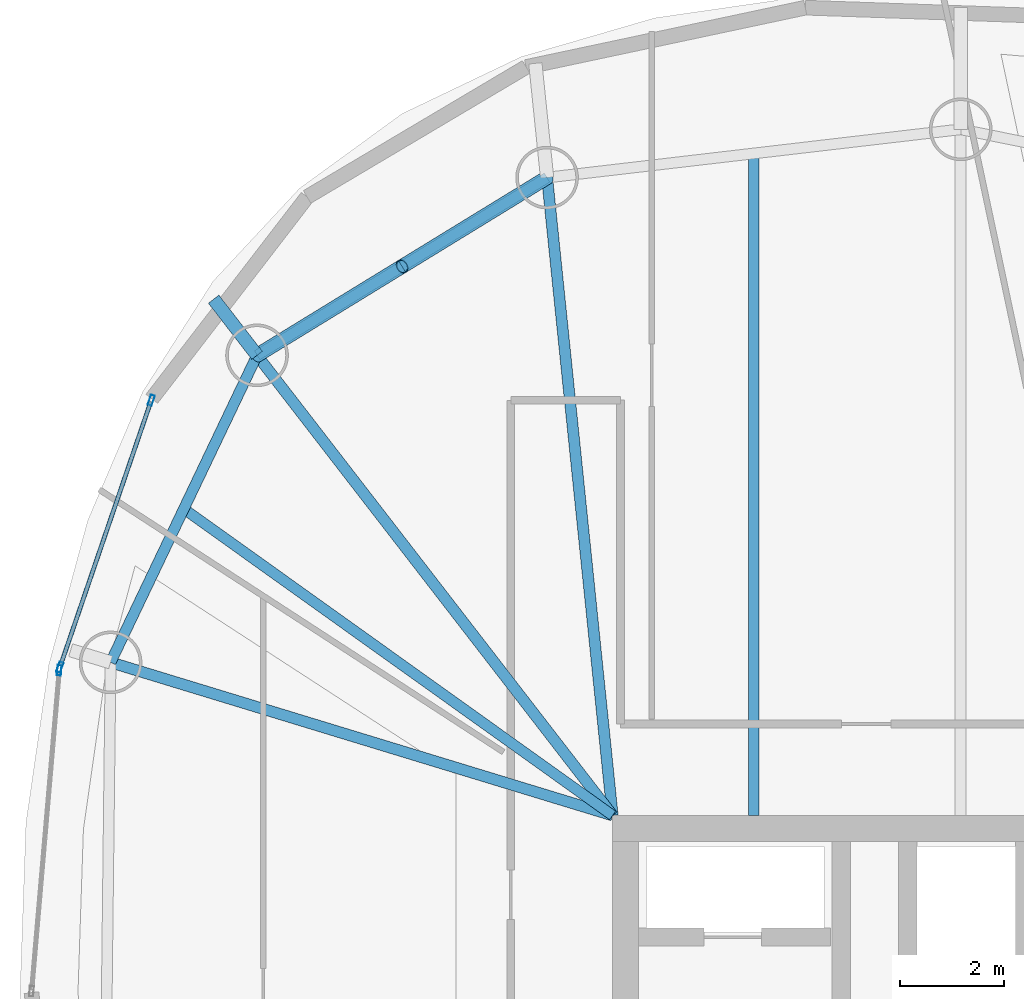
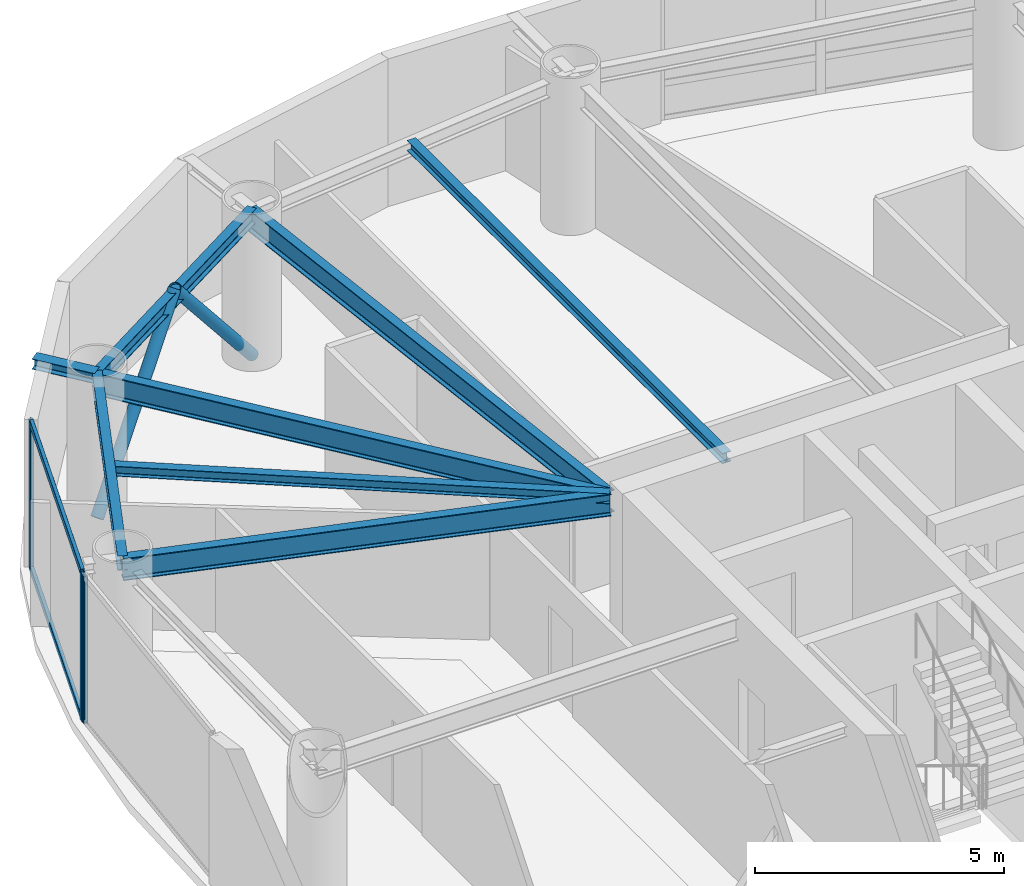
# One storey, part 11 of 22: 8 beams, 7 members, 2 elements without a shape of their own.
"""IFC4 building model written with IfcOpenShell, lengths in metres."""

from ifc_helpers import new_model, si_unit, direction, frame, origin, origin_2d, place, context, subcontext, project, spatial, hollow_rectangle, hollow_circle, i_section, extrude, material, layer, layer_set, material_profile, profile_set, type_object, element, aggregate, save


model = new_model("IFC4")

# Units and contexts
model_context = context("Model", 3, precision=1e-05, world=origin(), true_north=direction((0.0, 1.0)))
body_context = subcontext(model_context, "Body", "Model", "MODEL_VIEW")
ifc_project = project(units=[si_unit("LENGTHUNIT", "METRE"), si_unit("AREAUNIT", "SQUARE_METRE"), si_unit("VOLUMEUNIT", "CUBIC_METRE"), si_unit("PLANEANGLEUNIT", "RADIAN"), si_unit("MASSUNIT", "GRAM", prefix="KILO")], contexts=[model_context])

# Site, building, storey
site_placement = place(None, origin())
site = spatial("IfcSite", under=ifc_project, at=site_placement, CompositionType="ELEMENT")
building_placement = place(site_placement, origin())
building = spatial("IfcBuilding", under=site, at=building_placement, Name="Bramvorn Convention Spire", CompositionType="ELEMENT")
storey_placement = place(building_placement, frame((0.0, 0.0, 225.10009765625)))
storey = spatial("IfcBuildingStorey", under=building, at=storey_placement, Name="L57", CompositionType="ELEMENT", Elevation=225.10009765625)

# Beams
ifc_material_1 = material(Name="Steel CSA G40.21 Grade 350 (350W)", Category="steel")
ifc_material_profile_1 = material_profile(ifc_material_1, i_section(OverallWidth=0.201904296875, OverallDepth=0.2470703125, WebThickness=0.00732421875, FlangeThickness=0.010986328125, FilletRadius=0.011962890625, at=origin_2d()))
ifc_profile_set_1 = profile_set([ifc_material_profile_1], Name="Steel CSA G40.21 Grade 350 (350W) - W250X49")
beam_type_1 = type_object("IfcBeamType", Name="BM-W250X49", PredefinedType="JOIST", material=ifc_profile_set_1)
beam_1_placement = place(storey_placement, frame((29.455810546875, 33.449951171875, 3.496337890625), z_axis=(0.0, 1.0, 0.0), x_axis=(-1.0, 0.0, 0.0)))
element("IfcBeam", 1, at=beam_1_placement, inside=storey, type_object=beam_type_1, Name="L57 composite floor joist 07", PredefinedType="JOIST", context=body_context, shape_type="SweptSolid", body=[
    extrude(i_section(OverallWidth=0.201904296875, OverallDepth=0.2470703125, WebThickness=0.00732421875, FlangeThickness=0.010986328125, FilletRadius=0.011962890625, at=origin_2d()), origin(), (0.0, 0.0, 1.0), 12.676025390625),
])
beam_2_placement = place(storey_placement, frame((26.75, 33.449951171875, 3.496337890625), z_axis=(-0.813471895271, 0.581604225916, 0.0), x_axis=(-0.581604225916, -0.813471895271, 0.0)))
element("IfcBeam", 2, at=beam_2_placement, inside=storey, type_object=beam_type_1, Name="L57 composite floor joist 09", PredefinedType="JOIST", context=body_context, shape_type="SweptSolid", body=[
    extrude(i_section(OverallWidth=0.201904296875, OverallDepth=0.2470703125, WebThickness=0.00732421875, FlangeThickness=0.010986328125, FilletRadius=0.011962890625, at=origin_2d()), origin(), (0.0, 0.0, 1.0), 10.093505859375),
])
ifc_material_profile_2 = material_profile(ifc_material_1, i_section(OverallWidth=0.25390625, OverallDepth=0.2529296875, WebThickness=0.008544921875, FlangeThickness=0.01416015625, FilletRadius=0.011962890625, at=origin_2d()))
ifc_profile_set_2 = profile_set([ifc_material_profile_2], Name="Steel CSA G40.21 Grade 350 (350W) - W250X73")
beam_type_2 = type_object("IfcBeamType", Name="BM-W250X73", PredefinedType="BEAM", material=ifc_profile_set_2)
beam_3_placement = place(storey_placement, frame((19.941650390625, 42.260009765625, 3.493408203125), z_axis=(-0.61154975824, 0.791205973939, 0.0), x_axis=(-0.791205973939, -0.61154975824, 0.0)))
element("IfcBeam", 3, at=beam_3_placement, inside=storey, type_object=beam_type_2, Name="L57 slab-edge cantilever tip beam MC09", PredefinedType="BEAM", context=body_context, shape_type="SweptSolid", body=[
    extrude(i_section(OverallWidth=0.25390625, OverallDepth=0.2529296875, WebThickness=0.008544921875, FlangeThickness=0.01416015625, FilletRadius=0.011962890625, at=origin_2d()), origin(), (0.0, 0.0, 1.0), 1.35888671875),
])
ifc_material_profile_3 = material_profile(ifc_material_1, i_section(OverallWidth=0.205078125, OverallDepth=0.35400390625, WebThickness=0.009521484375, FlangeThickness=0.016845703125, FilletRadius=0.014892578125, at=origin_2d()))
ifc_profile_set_3 = profile_set([ifc_material_profile_3], Name="Steel CSA G40.21 Grade 350 (350W) - W360X79")
beam_type_3 = type_object("IfcBeamType", Name="BM-W360X79", PredefinedType="JOIST", material=ifc_profile_set_3)
beam_4_placement = place(storey_placement, frame((25.49560546875, 45.663818359375, 3.44287109375), z_axis=(-0.852616873135, -0.522536570629, 0.0), x_axis=(0.522536570629, -0.852616873135, 0.0)))
element("IfcBeam", 4, at=beam_4_placement, inside=storey, type_object=beam_type_3, Name="L57 mega-column ring beam 08", PredefinedType="JOIST", context=body_context, shape_type="SweptSolid", body=[
    extrude(i_section(OverallWidth=0.205078125, OverallDepth=0.35400390625, WebThickness=0.009521484375, FlangeThickness=0.016845703125, FilletRadius=0.014892578125, at=origin_2d()), origin(), (0.0, 0.0, 1.0), 6.513916015625),
])
beam_5_placement = place(storey_placement, frame((19.941650390625, 42.260009765625, 3.44287109375), z_axis=(-0.430556138422, -0.902563799223, 0.0), x_axis=(0.902563799223, -0.430556138422, 0.0)))
element("IfcBeam", 5, at=beam_5_placement, inside=storey, type_object=beam_type_3, Name="L57 mega-column ring beam 09", PredefinedType="JOIST", context=body_context, shape_type="SweptSolid", body=[
    extrude(i_section(OverallWidth=0.205078125, OverallDepth=0.35400390625, WebThickness=0.009521484375, FlangeThickness=0.016845703125, FilletRadius=0.014892578125, at=origin_2d()), origin(), (0.0, 0.0, 1.0), 6.51416015625),
])
ifc_material_profile_4 = material_profile(ifc_material_1, i_section(OverallWidth=0.2119140625, OverallDepth=0.5439453125, WebThickness=0.01318359375, FlangeThickness=0.021240234375, FilletRadius=0.01904296875, at=origin_2d()))
ifc_profile_set_4 = profile_set([ifc_material_profile_4], Name="Steel CSA G40.21 Grade 350 (350W) - W530X123")
beam_type_4 = type_object("IfcBeamType", Name="BM-W530X123", PredefinedType="BEAM", material=ifc_profile_set_4)
beam_6_placement = place(storey_placement, frame((26.75, 33.449951171875, 3.347900390625), z_axis=(-0.10216509146, 0.994767457292, 0.0), x_axis=(-0.994767457292, -0.10216509146, 0.0)))
element("IfcBeam", 6, at=beam_6_placement, inside=storey, type_object=beam_type_4, Name="L57 radial floor girder MC08", PredefinedType="BEAM", context=body_context, shape_type="SweptSolid", body=[
    extrude(i_section(OverallWidth=0.2119140625, OverallDepth=0.5439453125, WebThickness=0.01318359375, FlangeThickness=0.021240234375, FilletRadius=0.01904296875, at=origin_2d()), origin(), (0.0, 0.0, 1.0), 12.278076171875),
])
beam_7_placement = place(storey_placement, frame((26.75, 33.449951171875, 3.347900390625), z_axis=(-0.611479951477, 0.791259925019, 0.0), x_axis=(-0.791259925019, -0.611479951477, 0.0)))
element("IfcBeam", 7, at=beam_7_placement, inside=storey, type_object=beam_type_4, Name="L57 radial floor girder MC09", PredefinedType="BEAM", context=body_context, shape_type="SweptSolid", body=[
    extrude(i_section(OverallWidth=0.2119140625, OverallDepth=0.5439453125, WebThickness=0.01318359375, FlangeThickness=0.021240234375, FilletRadius=0.01904296875, at=origin_2d()), origin(), (0.0, 0.0, 1.0), 11.13427734375),
])
beam_8_placement = place(storey_placement, frame((26.75, 33.449951171875, 3.347900390625), z_axis=(-0.95653637984, 0.291613021044, 0.0), x_axis=(-0.291613021044, -0.95653637984, 0.0)))
element("IfcBeam", 8, at=beam_8_placement, inside=storey, type_object=beam_type_4, Name="L57 radial floor girder MC10", PredefinedType="BEAM", context=body_context, shape_type="SweptSolid", body=[
    extrude(i_section(OverallWidth=0.2119140625, OverallDepth=0.5439453125, WebThickness=0.01318359375, FlangeThickness=0.021240234375, FilletRadius=0.01904296875, at=origin_2d()), origin(), (0.0, 0.0, 1.0), 10.0498046875),
])

# Curtain wall, members
ifc_material_2 = material(Name="Anodised Bronze Unitised Curtain Wall", Category="aluminium")
ifc_layer = layer(ifc_material_2, 0.179931640625)
ifc_layer_set = layer_set([ifc_layer], Name="Anodised Bronze Unitised Curtain Wall - CW-OFF-FRIT")
curtain_wall_type = type_object("IfcCurtainWallType", Name="CW-OFF-FRIT", PredefinedType="USERDEFINED", material=ifc_layer_set)
curtain_wall_1_placement = place(storey_placement, origin())
curtain_wall_1 = element("IfcCurtainWall", 9, at=curtain_wall_1_placement, inside=storey, type_object=curtain_wall_type, Name="L57 fritted glass curtain wall 14", ObjectType="UNITISED CURTAIN WALL", PredefinedType="USERDEFINED")
ifc_material_3 = material(Name="Anodised Bronze Aluminium 6063-T6", Category="aluminium")
ifc_material_profile_5 = material_profile(ifc_material_3, hollow_rectangle(XDim=0.080078125, YDim=0.199951171875, WallThickness=0.00390625, InnerFilletRadius=0.0009765625, OuterFilletRadius=0.00390625, at=origin_2d()))
ifc_profile_set_5 = profile_set([ifc_material_profile_5], Name="Anodised Bronze Aluminium 6063-T6 - CWM80X200")
member_type_1 = type_object("IfcMemberType", Name="CW-MUL-180", PredefinedType="MULLION", material=ifc_profile_set_5)
member_1_placement = place(storey_placement, frame((16.166748046875, 36.287109375, 0.0), z_axis=(0.0, 0.0, 1.0), x_axis=(-0.94610895896, 0.323848479656, 0.0)))
member_1 = element("IfcMember", 10, at=member_1_placement, type_object=member_type_1, Name="CW3 mullion 1", PredefinedType="MULLION", context=body_context, shape_type="SweptSolid", body=[
    extrude(hollow_rectangle(XDim=0.080078125, YDim=0.199951171875, WallThickness=0.00390625, InnerFilletRadius=0.0009765625, OuterFilletRadius=0.00390625, at=origin_2d()), origin(), (0.0, 0.0, 1.0), 3.619873046875),
])
member_2_placement = place(storey_placement, frame((17.9169921875, 41.400634765625, 0.0), z_axis=(0.0, 0.0, 1.0), x_axis=(-0.94610895896, 0.323848479656, 0.0)))
member_2 = element("IfcMember", 11, at=member_2_placement, type_object=member_type_1, Name="CW3 mullion 2", PredefinedType="MULLION", context=body_context, shape_type="SweptSolid", body=[
    extrude(hollow_rectangle(XDim=0.080078125, YDim=0.199951171875, WallThickness=0.00390625, InnerFilletRadius=0.0009765625, OuterFilletRadius=0.00390625, at=origin_2d()), origin(), (0.0, 0.0, 1.0), 3.619873046875),
])

# Curtain wall, member
curtain_wall_2_placement = place(storey_placement, origin())
curtain_wall_2 = element("IfcCurtainWall", 12, at=curtain_wall_2_placement, inside=storey, type_object=curtain_wall_type, Name="L57 fritted glass curtain wall 15", ObjectType="UNITISED CURTAIN WALL", PredefinedType="USERDEFINED")
member_3_placement = place(storey_placement, frame((16.154541015625, 36.22900390625, 0.0), z_axis=(0.0, 0.0, 1.0), x_axis=(-0.996301569388, 0.085925449291, 0.0)))
member_3 = element("IfcMember", 13, at=member_3_placement, type_object=member_type_1, Name="CW3 mullion 2", PredefinedType="MULLION", context=body_context, shape_type="SweptSolid", body=[
    extrude(hollow_rectangle(XDim=0.080078125, YDim=0.199951171875, WallThickness=0.00390625, InnerFilletRadius=0.0009765625, OuterFilletRadius=0.00390625, at=origin_2d()), origin(), (0.0, 0.0, 1.0), 3.619873046875),
])
aggregate(curtain_wall_2, [member_3])

# Member
ifc_material_profile_6 = material_profile(ifc_material_3, hollow_rectangle(XDim=0.080078125, YDim=0.159912109375, WallThickness=0.00390625, InnerFilletRadius=0.0009765625, OuterFilletRadius=0.00390625, at=origin_2d()))
ifc_profile_set_6 = profile_set([ifc_material_profile_6], Name="Anodised Bronze Aluminium 6063-T6 - CWT80X160")
member_type_2 = type_object("IfcMemberType", Name="CW-TRN-150", PredefinedType="USERDEFINED", material=ifc_profile_set_6)
member_4_placement = place(storey_placement, frame((16.176513671875, 36.315673828125, 0.02978515625), z_axis=(0.323837266159, 0.946112797211, 0.0), x_axis=(-0.946112797211, 0.323837266159, 0.0)))
member_4 = element("IfcMember", 14, at=member_4_placement, type_object=member_type_2, Name="CW3 transom 1.1", ObjectType="TRANSOM", PredefinedType="USERDEFINED", context=body_context, shape_type="SweptSolid", body=[
    extrude(hollow_rectangle(XDim=0.080078125, YDim=0.159912109375, WallThickness=0.00390625, InnerFilletRadius=0.0009765625, OuterFilletRadius=0.00390625, at=origin_2d()), origin(), (0.0, 0.0, 1.0), 5.344482421875),
])

member_5_placement = place(storey_placement, frame((16.176513671875, 36.315673828125, 3.58984375), z_axis=(0.323837266159, 0.946112797211, 0.0), x_axis=(-0.946112797211, 0.323837266159, 0.0)))
member_5 = element("IfcMember", 15, at=member_5_placement, type_object=member_type_2, Name="CW3 transom 1.2", ObjectType="TRANSOM", PredefinedType="USERDEFINED", context=body_context, shape_type="SweptSolid", body=[
    extrude(hollow_rectangle(XDim=0.080078125, YDim=0.159912109375, WallThickness=0.00390625, InnerFilletRadius=0.0009765625, OuterFilletRadius=0.00390625, at=origin_2d()), origin(), (0.0, 0.0, 1.0), 5.344482421875),
])

aggregate(curtain_wall_1, [member_1, member_2, member_4, member_5])

# Members
ifc_material_profile_7 = material_profile(ifc_material_1, hollow_circle(Radius=0.136474609375, WallThickness=0.0126953125, at=origin_2d()))
ifc_profile_set_7 = profile_set([ifc_material_profile_7], Name="Steel CSA G40.21 Grade 350 (350W) - CHS273X13")
member_type_3 = type_object("IfcMemberType", Name="MBR-CHS273X13", PredefinedType="BRACE", material=ifc_profile_set_7)
member_6_placement = place(storey_placement, frame((25.49560546875, 45.663818359375, 0.0), z_axis=(-0.570302340607, -0.349501328912, 0.743373433334), x_axis=(0.522519873149, -0.852627106163, 0.0)))
element("IfcMember", 16, at=member_6_placement, inside=storey, type_object=member_type_3, Name="L57 perimeter Gothic lancet brace 8A", PredefinedType="BRACE", context=body_context, shape_type="SweptSolid", body=[
    extrude(hollow_circle(Radius=0.136474609375, WallThickness=0.0126953125, at=origin_2d()), origin(), (0.0, 0.0, 1.0), 4.86962890625),
])
member_7_placement = place(storey_placement, frame((19.941650390625, 42.260009765625, 0.0), z_axis=(0.57026850931, 0.349511322174, 0.743394688548), x_axis=(-0.522553268977, 0.852606639126, 0.0)))
element("IfcMember", 17, at=member_7_placement, inside=storey, type_object=member_type_3, Name="L57 perimeter Gothic lancet brace 8B", PredefinedType="BRACE", context=body_context, shape_type="SweptSolid", body=[
    extrude(hollow_circle(Radius=0.136474609375, WallThickness=0.0126953125, at=origin_2d()), origin(), (0.0, 0.0, 1.0), 4.869384765625),
])

save(model, "model.ifc")
